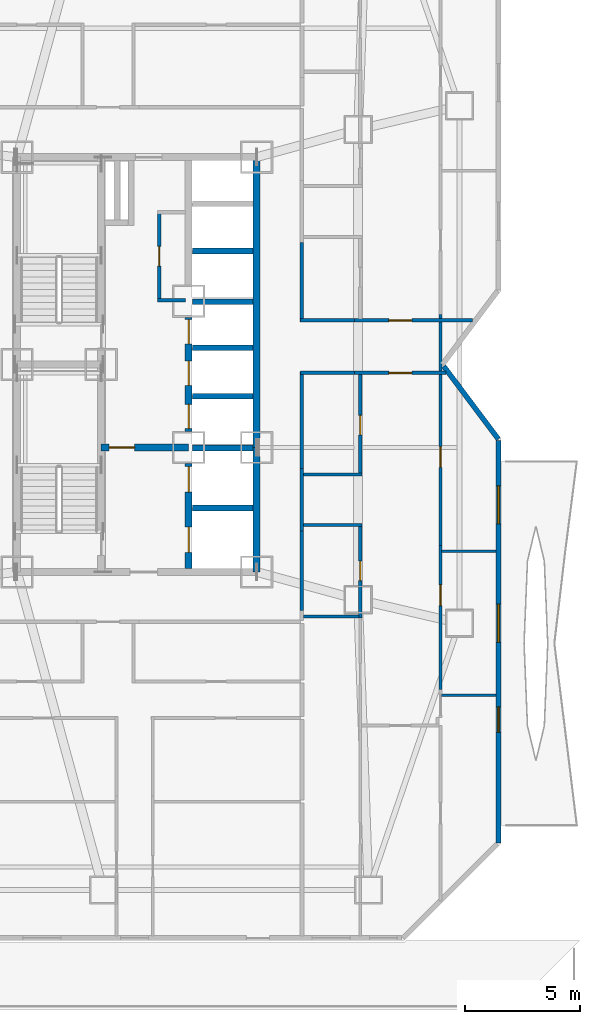
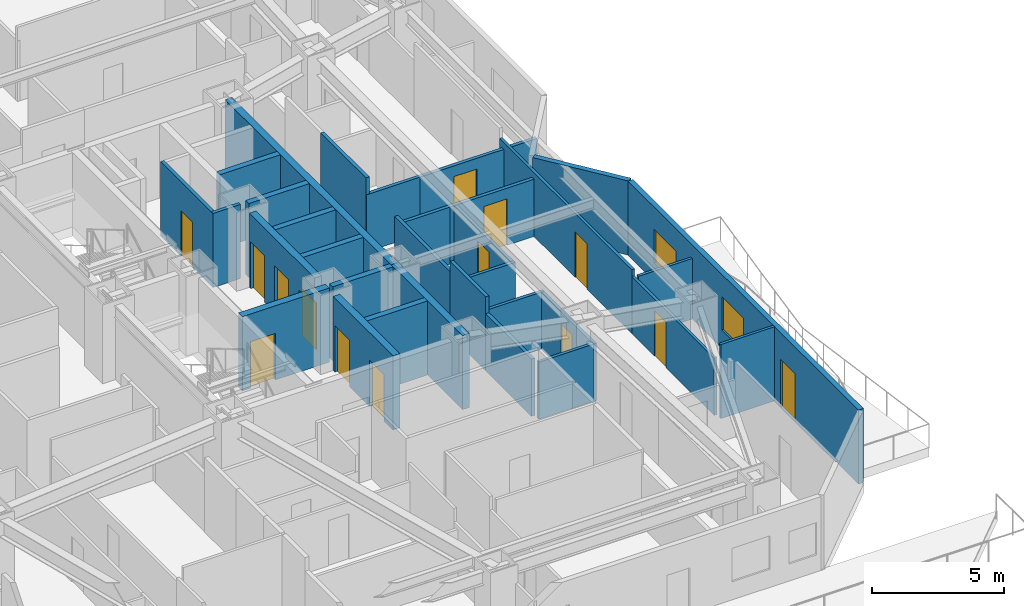
# One storey, part 12 of 18: 32 walls, 14 doors, 2 windows, 16 openings.
"""IFC4 building model written with IfcOpenShell, lengths in metres."""

from ifc_helpers import new_model, si_unit, direction, frame, frame_2d, origin, place, context, subcontext, project, spatial, rectangle, extrude, material, layer, layer_set, type_object, element, fill, save


model = new_model("IFC4")

# Units and contexts
model_context = context("Model", 3, precision=1e-05, world=origin(), true_north=direction((0.0, 1.0)))
body_context = subcontext(model_context, "Body", "Model", "MODEL_VIEW")
ifc_project = project(units=[si_unit("LENGTHUNIT", "METRE"), si_unit("AREAUNIT", "SQUARE_METRE"), si_unit("VOLUMEUNIT", "CUBIC_METRE"), si_unit("PLANEANGLEUNIT", "RADIAN"), si_unit("MASSUNIT", "GRAM", prefix="KILO")], contexts=[model_context])

# Site, building, storey
site_placement = place(None, origin())
site = spatial("IfcSite", under=ifc_project, at=site_placement, CompositionType="ELEMENT")
building_placement = place(site_placement, origin())
building = spatial("IfcBuilding", under=site, at=building_placement, Name="Khamvora Tower", CompositionType="ELEMENT")
storey_placement = place(building_placement, frame((0.0, 0.0, 33.300048828125)))
storey = spatial("IfcBuildingStorey", under=building, at=storey_placement, Name="L07", CompositionType="ELEMENT", Elevation=33.300048828125)

# Walls
ifc_material_1 = material(Name="Concrete C50/60", Category="concrete")
ifc_layer_1 = layer(ifc_material_1, 0.300048828125)
ifc_layer_set_1 = layer_set([ifc_layer_1], Name="Concrete C50/60")
wall_type_1 = type_object("IfcWallType", Name="WAL-CORE-300", PredefinedType="SHEAR", material=ifc_layer_set_1)
wall_1_placement = place(storey_placement, frame((39.39990234375, 19.0, 0.0), z_axis=(0.0, 0.0, 1.0), x_axis=(0.0, 1.0, 0.0)))
element("IfcWall", 1, at=wall_1_placement, inside=storey, type_object=wall_type_1, Name="L07 central core east south wall", PredefinedType="SHEAR", context=body_context, shape_type="SweptSolid", body=[
    extrude(rectangle(XDim=5.39990234375, YDim=0.300048828125, at=frame_2d((2.699951171875, 0.0))), origin(), (0.0, 0.0, 1.0), 3.429931640625),
])
wall_2_placement = place(storey_placement, frame((39.39990234375, 24.39990234375, 0.0), z_axis=(0.0, 0.0, 1.0), x_axis=(0.0, 1.0, 0.0)))
element("IfcWall", 2, at=wall_2_placement, inside=storey, type_object=wall_type_1, Name="L07 central core east north wall", PredefinedType="SHEAR", context=body_context, shape_type="SweptSolid", body=[
    extrude(rectangle(XDim=12.60009765625, YDim=0.300048828125, at=frame_2d((6.300048828125, 0.0))), origin(), (0.0, 0.0, 1.0), 3.429931640625),
])

# Wall, opening, door
wall_3_placement = place(storey_placement, frame((32.64990234375, 24.39990234375, 0.0), z_axis=(0.0, 0.0, 1.0), x_axis=(1.0, 0.0, 0.0)))
wall_3 = element("IfcWall", 3, at=wall_3_placement, inside=storey, type_object=wall_type_1, Name="L07 central core firefighting lobby north wall", PredefinedType="SHEAR", context=body_context, shape_type="SweptSolid", body=[
    extrude(rectangle(XDim=3.800048828125, YDim=0.300048828125, at=frame_2d((1.89990234375, 0.0))), origin(), (0.0, 0.0, 1.0), 3.429931640625),
])
opening_1_placement = place(wall_3_placement, frame((0.35009765625, 0.0, 0.0)))
opening_1 = element("IfcOpeningElement", 4, at=opening_1_placement, cuts=wall_3, Name="Opening D-FF1", PredefinedType="OPENING", context=body_context, shape_type="SweptSolid", body=[
    extrude(rectangle(XDim=1.10009765625, YDim=2.14990234375, at=frame_2d((0.550048828125, 1.074951171875))), frame((0.0, 0.159912109375, 0.0), z_axis=(0.0, -1.0, 0.0), x_axis=(1.0, 0.0, 0.0)), (0.0, 0.0, 1.0), 0.320068359375),
])
ifc_material_2 = material(Name="Powder-Coated Steel and Hardwood Leaf", Category="steel")
door_type_1 = type_object("IfcDoorType", Name="DOR-FFLOB-1100", OperationType="NOTDEFINED", PredefinedType="DOOR", material=ifc_material_2)
door_1_placement = place(opening_1_placement, origin())
door_1 = element("IfcDoor", 5, at=door_1_placement, inside=storey, type_object=door_type_1, Name="L07 firefighting lobby smoke-seal fire door", OperationType="SINGLE_SWING_RIGHT", OverallHeight=2.14990234375, OverallWidth=1.10009765625, PredefinedType="DOOR", context=body_context, shape_type="SweptSolid", body=[
    extrude(rectangle(XDim=1.10009765625, YDim=2.14990234375, at=frame_2d((0.550048828125, 1.074951171875))), frame((0.0, 0.02490234375, 0.0), z_axis=(0.0, -1.0, 0.0), x_axis=(1.0, 0.0, 0.0)), (0.0, 0.0, 1.0), 0.050048828125),
])
fill(opening_1, door_1)

# Wall, openings, doors
wall_4_placement = place(storey_placement, frame((36.449951171875, 19.154052734375, 0.0), z_axis=(0.0, 0.0, 1.0), x_axis=(0.0, 1.0, 0.0)))
wall_4 = element("IfcWall", 6, at=wall_4_placement, inside=storey, type_object=wall_type_1, Name="L07 central core lift bank south wall", PredefinedType="SHEAR", context=body_context, shape_type="SweptSolid", body=[
    extrude(rectangle(XDim=4.5458984375, YDim=0.300048828125, at=frame_2d((2.27294921875, 0.0))), origin(), (0.0, 0.0, 1.0), 3.429931640625),
])
opening_2_placement = place(wall_4_placement, frame((0.696044921875, 0.0, 0.0)))
opening_2 = element("IfcOpeningElement", 7, at=opening_2_placement, cuts=wall_4, Name="Opening LD-FFL", PredefinedType="OPENING", context=body_context, shape_type="SweptSolid", body=[
    extrude(rectangle(XDim=1.10009765625, YDim=2.14990234375, at=frame_2d((0.550048828125, 1.074951171875))), frame((0.0, 0.159912109375, 0.0), z_axis=(0.0, -1.0, 0.0), x_axis=(1.0, 0.0, 0.0)), (0.0, 0.0, 1.0), 0.320068359375),
])
opening_3_placement = place(wall_4_placement, frame((3.31591796875, 0.0, 0.0)))
opening_3 = element("IfcOpeningElement", 8, at=opening_3_placement, cuts=wall_4, Name="Opening LD-FFL", PredefinedType="OPENING", context=body_context, shape_type="SweptSolid", body=[
    extrude(rectangle(XDim=1.10009765625, YDim=2.14990234375, at=frame_2d((0.550048828125, 1.074951171875))), frame((0.0, 0.159912109375, 0.0), z_axis=(0.0, -1.0, 0.0), x_axis=(1.0, 0.0, 0.0)), (0.0, 0.0, 1.0), 0.320068359375),
])
door_type_2 = type_object("IfcDoorType", Name="DOR-LIFT-1100", OperationType="SLIDING_TO_LEFT", PredefinedType="DOOR", material=ifc_material_2)
door_2_placement = place(opening_2_placement, origin())
door_2 = element("IfcDoor", 9, at=door_2_placement, inside=storey, type_object=door_type_2, Name="L07 lift landing sliding door FFL-01", OperationType="SLIDING_TO_LEFT", OverallHeight=2.14990234375, OverallWidth=1.10009765625, PredefinedType="DOOR", context=body_context, shape_type="SweptSolid", body=[
    extrude(rectangle(XDim=1.10009765625, YDim=2.14990234375, at=frame_2d((0.550048828125, 1.074951171875))), frame((0.0, 0.02490234375, 0.0), z_axis=(0.0, -1.0, 0.0), x_axis=(1.0, 0.0, 0.0)), (0.0, 0.0, 1.0), 0.050048828125),
])
fill(opening_2, door_2)
door_3_placement = place(opening_3_placement, origin())
door_3 = element("IfcDoor", 10, at=door_3_placement, inside=storey, type_object=door_type_2, Name="L07 lift landing sliding door FFL-02", OperationType="SLIDING_TO_LEFT", OverallHeight=2.14990234375, OverallWidth=1.10009765625, PredefinedType="DOOR", context=body_context, shape_type="SweptSolid", body=[
    extrude(rectangle(XDim=1.10009765625, YDim=2.14990234375, at=frame_2d((0.550048828125, 1.074951171875))), frame((0.0, 0.02490234375, 0.0), z_axis=(0.0, -1.0, 0.0), x_axis=(1.0, 0.0, 0.0)), (0.0, 0.0, 1.0), 0.050048828125),
])
fill(opening_3, door_3)

wall_5_placement = place(storey_placement, frame((36.449951171875, 25.10009765625, 0.0), z_axis=(0.0, 0.0, 1.0), x_axis=(0.0, 1.0, 0.0)))
wall_5 = element("IfcWall", 11, at=wall_5_placement, inside=storey, type_object=wall_type_1, Name="L07 central core lift bank central wall", PredefinedType="SHEAR", context=body_context, shape_type="SweptSolid", body=[
    extrude(rectangle(XDim=4.949951171875, YDim=0.300048828125, at=frame_2d((2.47509765625, 0.0))), origin(), (0.0, 0.0, 1.0), 3.429931640625),
])
opening_4_placement = place(wall_5_placement, frame((0.1201171875, 0.0, 0.0)))
opening_4 = element("IfcOpeningElement", 12, at=opening_4_placement, cuts=wall_5, Name="Opening LD-PL", PredefinedType="OPENING", context=body_context, shape_type="SweptSolid", body=[
    extrude(rectangle(XDim=1.050048828125, YDim=2.14990234375, at=frame_2d((0.52490234375, 1.074951171875))), frame((0.0, 0.159912109375, 0.0), z_axis=(0.0, -1.0, 0.0), x_axis=(1.0, 0.0, 0.0)), (0.0, 0.0, 1.0), 0.320068359375),
])
opening_5_placement = place(wall_5_placement, frame((1.9951171875, 0.0, 0.0)))
opening_5 = element("IfcOpeningElement", 13, at=opening_5_placement, cuts=wall_5, Name="Opening LD-PL", PredefinedType="OPENING", context=body_context, shape_type="SweptSolid", body=[
    extrude(rectangle(XDim=1.050048828125, YDim=2.14990234375, at=frame_2d((0.52490234375, 1.074951171875))), frame((0.0, 0.159912109375, 0.0), z_axis=(0.0, -1.0, 0.0), x_axis=(1.0, 0.0, 0.0)), (0.0, 0.0, 1.0), 0.320068359375),
])
opening_6_placement = place(wall_5_placement, frame((3.794921875, 0.0, 0.0)))
opening_6 = element("IfcOpeningElement", 14, at=opening_6_placement, cuts=wall_5, Name="Opening LD-PL", PredefinedType="OPENING", context=body_context, shape_type="SweptSolid", body=[
    extrude(rectangle(XDim=1.050048828125, YDim=2.14990234375, at=frame_2d((0.52490234375, 1.074951171875))), frame((0.0, 0.159912109375, 0.0), z_axis=(0.0, -1.0, 0.0), x_axis=(1.0, 0.0, 0.0)), (0.0, 0.0, 1.0), 0.320068359375),
])
door_type_3 = type_object("IfcDoorType", Name="DOR-LIFT-1050", OperationType="SLIDING_TO_LEFT", PredefinedType="DOOR", material=ifc_material_2)
door_4_placement = place(opening_4_placement, origin())
door_4 = element("IfcDoor", 15, at=door_4_placement, inside=storey, type_object=door_type_3, Name="L07 lift landing sliding door PL-01", OperationType="SLIDING_TO_LEFT", OverallHeight=2.14990234375, OverallWidth=1.050048828125, PredefinedType="DOOR", context=body_context, shape_type="SweptSolid", body=[
    extrude(rectangle(XDim=1.050048828125, YDim=2.14990234375, at=frame_2d((0.52490234375, 1.074951171875))), frame((0.0, 0.02490234375, 0.0), z_axis=(0.0, -1.0, 0.0), x_axis=(1.0, 0.0, 0.0)), (0.0, 0.0, 1.0), 0.050048828125),
])
fill(opening_4, door_4)
door_5_placement = place(opening_5_placement, origin())
door_5 = element("IfcDoor", 16, at=door_5_placement, inside=storey, type_object=door_type_3, Name="L07 lift landing sliding door PL-02", OperationType="SLIDING_TO_LEFT", OverallHeight=2.14990234375, OverallWidth=1.050048828125, PredefinedType="DOOR", context=body_context, shape_type="SweptSolid", body=[
    extrude(rectangle(XDim=1.050048828125, YDim=2.14990234375, at=frame_2d((0.52490234375, 1.074951171875))), frame((0.0, 0.02490234375, 0.0), z_axis=(0.0, -1.0, 0.0), x_axis=(1.0, 0.0, 0.0)), (0.0, 0.0, 1.0), 0.050048828125),
])
fill(opening_5, door_5)
door_6_placement = place(opening_6_placement, origin())
door_6 = element("IfcDoor", 17, at=door_6_placement, inside=storey, type_object=door_type_3, Name="L07 lift landing sliding door PL-03", OperationType="SLIDING_TO_LEFT", OverallHeight=2.14990234375, OverallWidth=1.050048828125, PredefinedType="DOOR", context=body_context, shape_type="SweptSolid", body=[
    extrude(rectangle(XDim=1.050048828125, YDim=2.14990234375, at=frame_2d((0.52490234375, 1.074951171875))), frame((0.0, 0.02490234375, 0.0), z_axis=(0.0, -1.0, 0.0), x_axis=(1.0, 0.0, 0.0)), (0.0, 0.0, 1.0), 0.050048828125),
])
fill(opening_6, door_6)

# Wall, opening, door
ifc_material_3 = material(Name="Fire-Rated Drywall and Steel Stud", Category="steel")
ifc_layer_2 = layer(ifc_material_3, 0.14990234375)
ifc_layer_set_2 = layer_set([ifc_layer_2], Name="Fire-Rated Drywall and Steel Stud")
wall_type_2 = type_object("IfcWallType", Name="WAL-CORR-150", PredefinedType="STANDARD", material=ifc_layer_set_2)
wall_6_placement = place(storey_placement, frame((35.1650390625, 34.677978515625, 0.0), z_axis=(0.0, 0.0, 1.0), x_axis=(0.0, -1.0, 0.0)))
wall_6 = element("IfcWall", 18, at=wall_6_placement, inside=storey, type_object=wall_type_2, Name="L07 interior partition wall 002", PredefinedType="STANDARD", context=body_context, shape_type="SweptSolid", body=[
    extrude(rectangle(XDim=3.9580078125, YDim=0.14990234375, at=frame_2d((1.97900390625, 0.0))), origin(), (0.0, 0.0, 1.0), 3.429931640625),
])
opening_7_placement = place(wall_6_placement, frame((1.553955078125, 0.0, 0.0)))
opening_7 = element("IfcOpeningElement", 19, at=opening_7_placement, cuts=wall_6, Name="Opening D-WC1", PredefinedType="OPENING", context=body_context, shape_type="SweptSolid", body=[
    extrude(rectangle(XDim=0.85009765625, YDim=2.10009765625, at=frame_2d((0.425048828125, 1.050048828125))), frame((0.0, 0.0849609375, 0.0), z_axis=(0.0, -1.0, 0.0), x_axis=(1.0, 0.0, 0.0)), (0.0, 0.0, 1.0), 0.169921875),
])
door_type_4 = type_object("IfcDoorType", Name="DOR-WET-850", OperationType="NOTDEFINED", PredefinedType="DOOR", material=ifc_material_2)
door_7_placement = place(opening_7_placement, origin())
door_7 = element("IfcDoor", 20, at=door_7_placement, inside=storey, type_object=door_type_4, Name="L07 interior door PLL-CS1", OperationType="SINGLE_SWING_LEFT", OverallHeight=2.10009765625, OverallWidth=0.85009765625, PredefinedType="DOOR", context=body_context, shape_type="SweptSolid", body=[
    extrude(rectangle(XDim=0.85009765625, YDim=2.10009765625, at=frame_2d((0.425048828125, 1.050048828125))), frame((0.0, 0.02490234375, 0.0), z_axis=(0.0, -1.0, 0.0), x_axis=(1.0, 0.0, 0.0)), (0.0, 0.0, 1.0), 0.050048828125),
])
fill(opening_7, door_7)

# Wall
wall_7_placement = place(storey_placement, frame((35.10205078125, 30.784912109375, 0.0), z_axis=(0.0, 0.0, 1.0), x_axis=(1.0, 0.0, 0.0)))
element("IfcWall", 21, at=wall_7_placement, inside=storey, type_object=wall_type_2, Name="L07 interior partition wall 003", PredefinedType="STANDARD", context=body_context, shape_type="SweptSolid", body=[
    extrude(rectangle(XDim=1.197998046875, YDim=0.14990234375, at=frame_2d((0.59912109375, 0.0))), origin(), (0.0, 0.0, 1.0), 3.429931640625),
])

# Wall, opening, door
wall_8_placement = place(storey_placement, frame((47.611083984375, 27.635009765625, 0.0), z_axis=(0.0, 0.0, 1.0), x_axis=(-1.0, 0.0, 0.0)))
wall_8 = element("IfcWall", 22, at=wall_8_placement, inside=storey, type_object=wall_type_2, Name="L07 interior partition wall 029", PredefinedType="STANDARD", context=body_context, shape_type="SweptSolid", body=[
    extrude(rectangle(XDim=3.965087890625, YDim=0.14990234375, at=frame_2d((1.982421875, 0.0))), origin(), (0.0, 0.0, 1.0), 2.64697265625),
])
opening_8_placement = place(wall_8_placement, frame((1.47607421875, 0.0, 0.0)))
opening_8 = element("IfcOpeningElement", 23, at=opening_8_placement, cuts=wall_8, Name="Opening D-U1", PredefinedType="OPENING", context=body_context, shape_type="SweptSolid", body=[
    extrude(rectangle(XDim=1.0, YDim=2.14990234375, at=frame_2d((0.5, 1.074951171875))), frame((0.0, 0.0849609375, 0.0), z_axis=(0.0, -1.0, 0.0), x_axis=(1.0, 0.0, 0.0)), (0.0, 0.0, 1.0), 0.169921875),
])
door_type_5 = type_object("IfcDoorType", Name="DOR-UNIT-1000", OperationType="NOTDEFINED", PredefinedType="DOOR", material=ifc_material_2)
door_8_placement = place(opening_8_placement, origin())
door_8 = element("IfcDoor", 24, at=door_8_placement, inside=storey, type_object=door_type_5, Name="L07 interior door COR-07EAH", OperationType="SINGLE_SWING_RIGHT", OverallHeight=2.14990234375, OverallWidth=1.0, PredefinedType="DOOR", context=body_context, shape_type="SweptSolid", body=[
    extrude(rectangle(XDim=1.0, YDim=2.14990234375, at=frame_2d((0.5, 1.074951171875))), frame((0.0, 0.02490234375, 0.0), z_axis=(0.0, -1.0, 0.0), x_axis=(1.0, 0.0, 0.0)), (0.0, 0.0, 1.0), 0.050048828125),
])
fill(opening_8, door_8)

# Walls
wall_9_placement = place(storey_placement, frame((41.364990234375, 23.48291015625, 0.0), z_axis=(0.0, 0.0, 1.0), x_axis=(0.0, -1.0, 0.0)))
element("IfcWall", 25, at=wall_9_placement, inside=storey, type_object=wall_type_2, Name="L07 interior partition wall 030", PredefinedType="STANDARD", context=body_context, shape_type="SweptSolid", body=[
    extrude(rectangle(XDim=2.697998046875, YDim=0.14990234375, at=frame_2d((1.34912109375, 0.0))), origin(), (0.0, 0.0, 1.0), 3.429931640625),
])
wall_10_placement = place(storey_placement, frame((41.364990234375, 20.784912109375, 0.0), z_axis=(0.0, 0.0, 1.0), x_axis=(0.0, -1.0, 0.0)))
element("IfcWall", 26, at=wall_10_placement, inside=storey, type_object=wall_type_2, Name="L07 interior partition wall 031", PredefinedType="STANDARD", context=body_context, shape_type="SweptSolid", body=[
    extrude(rectangle(XDim=3.466796875, YDim=0.14990234375, at=frame_2d((1.7333984375, 0.0))), origin(), (0.0, 0.0, 1.0), 2.64697265625),
])
wall_11_placement = place(storey_placement, frame((43.64599609375, 27.635009765625, 0.0), z_axis=(0.0, 0.0, 1.0), x_axis=(-1.0, 0.0, 0.0)))
element("IfcWall", 27, at=wall_11_placement, inside=storey, type_object=wall_type_2, Name="L07 interior partition wall 032", PredefinedType="STANDARD", context=body_context, shape_type="SweptSolid", body=[
    extrude(rectangle(XDim=2.345947265625, YDim=0.14990234375, at=frame_2d((1.1728515625, 0.0))), origin(), (0.0, 0.0, 1.0), 2.64697265625),
])
wall_12_placement = place(storey_placement, frame((41.364990234375, 27.697998046875, 0.0), z_axis=(0.0, 0.0, 1.0), x_axis=(0.0, -1.0, 0.0)))
element("IfcWall", 28, at=wall_12_placement, inside=storey, type_object=wall_type_2, Name="L07 interior partition wall 033", PredefinedType="STANDARD", context=body_context, shape_type="SweptSolid", body=[
    extrude(rectangle(XDim=4.215087890625, YDim=0.14990234375, at=frame_2d((2.107421875, 0.0))), origin(), (0.0, 0.0, 1.0), 2.95703125),
])

# Wall, opening, door
wall_13_placement = place(storey_placement, frame((43.64599609375, 29.9150390625, 0.0), z_axis=(0.0, 0.0, 1.0), x_axis=(1.0, 0.0, 0.0)))
wall_13 = element("IfcWall", 29, at=wall_13_placement, inside=storey, type_object=wall_type_2, Name="L07 interior partition wall 035", PredefinedType="STANDARD", context=body_context, shape_type="SweptSolid", body=[
    extrude(rectangle(XDim=5.125, YDim=0.14990234375, at=frame_2d((2.5625, 0.0))), origin(), (0.0, 0.0, 1.0), 2.64697265625),
])
opening_9_placement = place(wall_13_placement, frame((1.489013671875, 0.0, 0.0)))
opening_9 = element("IfcOpeningElement", 30, at=opening_9_placement, cuts=wall_13, Name="Opening D-U1", PredefinedType="OPENING", context=body_context, shape_type="SweptSolid", body=[
    extrude(rectangle(XDim=1.0, YDim=2.14990234375, at=frame_2d((0.5, 1.074951171875))), frame((0.0, 0.0849609375, 0.0), z_axis=(0.0, -1.0, 0.0), x_axis=(1.0, 0.0, 0.0)), (0.0, 0.0, 1.0), 0.169921875),
])
door_9_placement = place(opening_9_placement, origin())
door_9 = element("IfcDoor", 31, at=door_9_placement, inside=storey, type_object=door_type_5, Name="L07 interior door COR-07EBH", OperationType="SINGLE_SWING_LEFT", OverallHeight=2.14990234375, OverallWidth=1.0, PredefinedType="DOOR", context=body_context, shape_type="SweptSolid", body=[
    extrude(rectangle(XDim=1.0, YDim=2.14990234375, at=frame_2d((0.5, 1.074951171875))), frame((0.0, 0.02490234375, 0.0), z_axis=(0.0, -1.0, 0.0), x_axis=(1.0, 0.0, 0.0)), (0.0, 0.0, 1.0), 0.050048828125),
])
fill(opening_9, door_9)

# Walls
wall_14_placement = place(storey_placement, frame((41.364990234375, 33.2919921875, 0.0), z_axis=(0.0, 0.0, 1.0), x_axis=(0.0, -1.0, 0.0)))
element("IfcWall", 32, at=wall_14_placement, inside=storey, type_object=wall_type_2, Name="L07 interior partition wall 036", PredefinedType="STANDARD", context=body_context, shape_type="SweptSolid", body=[
    extrude(rectangle(XDim=3.44189453125, YDim=0.14990234375, at=frame_2d((1.720947265625, 0.0))), origin(), (0.0, 0.0, 1.0), 3.429931640625),
])
wall_15_placement = place(storey_placement, frame((41.300048828125, 29.9150390625, 0.0), z_axis=(0.0, 0.0, 1.0), x_axis=(1.0, 0.0, 0.0)))
element("IfcWall", 33, at=wall_15_placement, inside=storey, type_object=wall_type_2, Name="L07 interior partition wall 037", PredefinedType="STANDARD", context=body_context, shape_type="SweptSolid", body=[
    extrude(rectangle(XDim=2.345947265625, YDim=0.14990234375, at=frame_2d((1.1728515625, 0.0))), origin(), (0.0, 0.0, 1.0), 2.64697265625),
])
ifc_material_4 = material(Name="Precast concrete C40/50", Category="concrete")
ifc_layer_3 = layer(ifc_material_4, 0.219970703125)
ifc_layer_set_3 = layer_set([ifc_layer_3], Name="Precast concrete C40/50")
wall_type_3 = type_object("IfcWallType", Name="WAL-EXT-220", PredefinedType="STANDARD", material=ifc_layer_set_3)
wall_16_placement = place(storey_placement, frame((47.51904296875, 27.923095703125, 0.0), z_axis=(0.0, 0.0, 1.0), x_axis=(0.600118645218, -0.799911002338, 0.0)))
element("IfcWall", 34, at=wall_16_placement, inside=storey, type_object=wall_type_3, Name="L07 exterior facade wall 11.1", PredefinedType="STANDARD", context=body_context, shape_type="SweptSolid", body=[
    extrude(rectangle(XDim=3.95068359375, YDim=0.219970703125, at=frame_2d((1.975341796875, 0.0))), origin(), (0.0, 0.0, 1.0), 3.429931640625),
])

# Wall, openings, door, windows
wall_17_placement = place(storey_placement, frame((49.889892578125, 24.70703125, 0.0), z_axis=(0.0, 0.0, 1.0), x_axis=(0.0, -1.0, 0.0)))
wall_17 = element("IfcWall", 35, at=wall_17_placement, inside=storey, type_object=wall_type_3, Name="L07 exterior facade wall 12.1", PredefinedType="STANDARD", context=body_context, shape_type="SweptSolid", body=[
    extrude(rectangle(XDim=17.4609375, YDim=0.219970703125, at=frame_2d((8.73046875, 0.0))), origin(), (0.0, 0.0, 1.0), 3.429931640625),
])
opening_10_placement = place(wall_17_placement, frame((11.56591796875, 0.0, 0.0)))
opening_10 = element("IfcOpeningElement", 36, at=opening_10_placement, cuts=wall_17, Name="Opening BD-01", PredefinedType="OPENING", context=body_context, shape_type="SweptSolid", body=[
    extrude(rectangle(XDim=1.10009765625, YDim=2.199951171875, at=frame_2d((0.550048828125, 1.10009765625))), frame((0.0, 0.119873046875, 0.0), z_axis=(0.0, -1.0, 0.0), x_axis=(1.0, 0.0, 0.0)), (0.0, 0.0, 1.0), 0.239990234375),
])
opening_11_placement = place(wall_17_placement, frame((7.10693359375, 0.0, 0.85009765625)))
opening_11 = element("IfcOpeningElement", 37, at=opening_11_placement, cuts=wall_17, Name="Opening WN-06", PredefinedType="OPENING", context=body_context, shape_type="SweptSolid", body=[
    extrude(rectangle(XDim=1.64990234375, YDim=1.550048828125, at=frame_2d((0.824951171875, 0.77490234375))), frame((0.0, 0.119873046875, 0.0), z_axis=(0.0, -1.0, 0.0), x_axis=(1.0, 0.0, 0.0)), (0.0, 0.0, 1.0), 0.239990234375),
])
opening_12_placement = place(wall_17_placement, frame((1.972900390625, 0.0, 0.85009765625)))
opening_12 = element("IfcOpeningElement", 38, at=opening_12_placement, cuts=wall_17, Name="Opening WN-06", PredefinedType="OPENING", context=body_context, shape_type="SweptSolid", body=[
    extrude(rectangle(XDim=1.64990234375, YDim=1.550048828125, at=frame_2d((0.824951171875, 0.77490234375))), frame((0.0, 0.119873046875, 0.0), z_axis=(0.0, -1.0, 0.0), x_axis=(1.0, 0.0, 0.0)), (0.0, 0.0, 1.0), 0.239990234375),
])
ifc_material_5 = material(Name="Anodised Aluminium and Laminated Safety Glass", Category="aluminium")
door_type_6 = type_object("IfcDoorType", Name="DOR-BAL-1100", OperationType="NOTDEFINED", PredefinedType="DOOR", material=ifc_material_5)
door_10_placement = place(opening_10_placement, origin())
door_10 = element("IfcDoor", 39, at=door_10_placement, inside=storey, type_object=door_type_6, Name="L07 lens gallery balcony door EL1", OperationType="SLIDING_TO_LEFT", OverallHeight=2.199951171875, OverallWidth=1.10009765625, PredefinedType="DOOR", context=body_context, shape_type="SweptSolid", body=[
    extrude(rectangle(XDim=1.10009765625, YDim=2.199951171875, at=frame_2d((0.550048828125, 1.10009765625))), frame((0.0, 0.02490234375, 0.0), z_axis=(0.0, -1.0, 0.0), x_axis=(1.0, 0.0, 0.0)), (0.0, 0.0, 1.0), 0.050048828125),
])
fill(opening_10, door_10)
ifc_material_6 = material(Name="Low-E Laminated Double Glazing", Category="glass")
window_type = type_object("IfcWindowType", Name="WIN-VIS-1650x1550", PartitioningType="SINGLE_PANEL", PredefinedType="WINDOW", material=ifc_material_6)
window_1_placement = place(opening_11_placement, origin())
window_1 = element("IfcWindow", 40, at=window_1_placement, inside=storey, type_object=window_type, Name="L07 vision window 12.1.01", OverallHeight=1.550048828125, OverallWidth=1.64990234375, PartitioningType="SINGLE_PANEL", PredefinedType="WINDOW", context=body_context, shape_type="SweptSolid", body=[
    extrude(rectangle(XDim=1.64990234375, YDim=1.550048828125, at=frame_2d((0.824951171875, 0.77490234375))), frame((0.0, 0.030029296875, 0.0), z_axis=(0.0, -1.0, 0.0), x_axis=(1.0, 0.0, 0.0)), (0.0, 0.0, 1.0), 0.06005859375),
])
fill(opening_11, window_1)
window_2_placement = place(opening_12_placement, origin())
window_2 = element("IfcWindow", 41, at=window_2_placement, inside=storey, type_object=window_type, Name="L07 vision window 12.1.02", OverallHeight=1.550048828125, OverallWidth=1.64990234375, PartitioningType="SINGLE_PANEL", PredefinedType="WINDOW", context=body_context, shape_type="SweptSolid", body=[
    extrude(rectangle(XDim=1.64990234375, YDim=1.550048828125, at=frame_2d((0.824951171875, 0.77490234375))), frame((0.0, 0.030029296875, 0.0), z_axis=(0.0, -1.0, 0.0), x_axis=(1.0, 0.0, 0.0)), (0.0, 0.0, 1.0), 0.06005859375),
])
fill(opening_12, window_2)

# Wall, opening, door
ifc_material_7 = material(Name="Gypsum Plasterboard Partition", Category="gypsum")
ifc_layer_4 = layer(ifc_material_7, 0.1201171875)
ifc_layer_set_4 = layer_set([ifc_layer_4], Name="Gypsum Plasterboard Partition")
wall_type_4 = type_object("IfcWallType", Name="WAL-PART-120", PredefinedType="PARTITIONING", material=ifc_layer_set_4)
wall_18_placement = place(storey_placement, frame((47.375, 20.14404296875, 0.0), z_axis=(0.0, 0.0, 1.0), x_axis=(0.0, -1.0, 0.0)))
wall_18 = element("IfcWall", 42, at=wall_18_placement, inside=storey, type_object=wall_type_4, Name="L07 interior partition wall 144", PredefinedType="PARTITIONING", context=body_context, shape_type="SweptSolid", body=[
    extrude(rectangle(XDim=6.239990234375, YDim=0.1201171875, at=frame_2d((3.1201171875, 0.0))), origin(), (0.0, 0.0, 1.0), 2.64697265625),
])
opening_13_placement = place(wall_18_placement, frame((1.698974609375, 0.0, 0.0)))
opening_13 = element("IfcOpeningElement", 43, at=opening_13_placement, cuts=wall_18, Name="Opening D-RM1", PredefinedType="OPENING", context=body_context, shape_type="SweptSolid", body=[
    extrude(rectangle(XDim=0.89990234375, YDim=2.10009765625, at=frame_2d((0.449951171875, 1.050048828125))), frame((0.0, 0.070068359375, 0.0), z_axis=(0.0, -1.0, 0.0), x_axis=(1.0, 0.0, 0.0)), (0.0, 0.0, 1.0), 0.14013671875),
])
door_type_7 = type_object("IfcDoorType", Name="DOR-ROOM-900", OperationType="NOTDEFINED", PredefinedType="DOOR", material=ifc_material_2)
door_11_placement = place(opening_13_placement, origin())
door_11 = element("IfcDoor", 44, at=door_11_placement, inside=storey, type_object=door_type_7, Name="L07 interior door 07EAH-07EAR2", OperationType="SINGLE_SWING_LEFT", OverallHeight=2.10009765625, OverallWidth=0.89990234375, PredefinedType="DOOR", context=body_context, shape_type="SweptSolid", body=[
    extrude(rectangle(XDim=0.89990234375, YDim=2.10009765625, at=frame_2d((0.449951171875, 1.050048828125))), frame((0.0, 0.02490234375, 0.0), z_axis=(0.0, -1.0, 0.0), x_axis=(1.0, 0.0, 0.0)), (0.0, 0.0, 1.0), 0.050048828125),
])
fill(opening_13, door_11)

wall_19_placement = place(storey_placement, frame((47.375, 30.169921875, 0.0), z_axis=(0.0, 0.0, 1.0), x_axis=(0.0, -1.0, 0.0)))
wall_19 = element("IfcWall", 45, at=wall_19_placement, inside=storey, type_object=wall_type_4, Name="L07 interior partition wall 145", PredefinedType="PARTITIONING", context=body_context, shape_type="SweptSolid", body=[
    extrude(rectangle(XDim=10.02587890625, YDim=0.1201171875, at=frame_2d((5.012939453125, 0.0))), origin(), (0.0, 0.0, 1.0), 2.95703125),
])
opening_14_placement = place(wall_19_placement, frame((5.72705078125, 0.0, 0.0)))
opening_14 = element("IfcOpeningElement", 46, at=opening_14_placement, cuts=wall_19, Name="Opening D-RM1", PredefinedType="OPENING", context=body_context, shape_type="SweptSolid", body=[
    extrude(rectangle(XDim=0.89990234375, YDim=2.10009765625, at=frame_2d((0.449951171875, 1.050048828125))), frame((0.0, 0.070068359375, 0.0), z_axis=(0.0, -1.0, 0.0), x_axis=(1.0, 0.0, 0.0)), (0.0, 0.0, 1.0), 0.14013671875),
])
door_12_placement = place(opening_14_placement, origin())
door_12 = element("IfcDoor", 47, at=door_12_placement, inside=storey, type_object=door_type_7, Name="L07 interior door 07EAH-07EAR3", OperationType="SINGLE_SWING_LEFT", OverallHeight=2.10009765625, OverallWidth=0.89990234375, PredefinedType="DOOR", context=body_context, shape_type="SweptSolid", body=[
    extrude(rectangle(XDim=0.89990234375, YDim=2.10009765625, at=frame_2d((0.449951171875, 1.050048828125))), frame((0.0, 0.02490234375, 0.0), z_axis=(0.0, -1.0, 0.0), x_axis=(1.0, 0.0, 0.0)), (0.0, 0.0, 1.0), 0.050048828125),
])
fill(opening_14, door_12)

# Walls
wall_20_placement = place(storey_placement, frame((47.428955078125, 13.655029296875, 0.0), z_axis=(0.0, 0.0, 1.0), x_axis=(1.0, 0.0, 0.0)))
element("IfcWall", 48, at=wall_20_placement, inside=storey, type_object=wall_type_4, Name="L07 interior partition wall 147", PredefinedType="PARTITIONING", context=body_context, shape_type="SweptSolid", body=[
    extrude(rectangle(XDim=2.359130859375, YDim=0.1201171875, at=frame_2d((1.1796875, 0.0))), origin(), (0.0, 0.0, 1.0), 3.429931640625),
])
wall_21_placement = place(storey_placement, frame((47.428955078125, 19.89501953125, 0.0), z_axis=(0.0, 0.0, 1.0), x_axis=(1.0, 0.0, 0.0)))
element("IfcWall", 49, at=wall_21_placement, inside=storey, type_object=wall_type_4, Name="L07 interior partition wall 148", PredefinedType="PARTITIONING", context=body_context, shape_type="SweptSolid", body=[
    extrude(rectangle(XDim=2.359130859375, YDim=0.1201171875, at=frame_2d((1.1796875, 0.0))), origin(), (0.0, 0.0, 1.0), 2.802978515625),
])
ifc_material_8 = material(Name="Concrete C40/50", Category="concrete")
ifc_layer_5 = layer(ifc_material_8, 0.25)
ifc_layer_set_5 = layer_set([ifc_layer_5], Name="Concrete C40/50")
wall_type_5 = type_object("IfcWallType", Name="WAL-PODS-250", PredefinedType="SHEAR", material=ifc_layer_set_5)
for number, where, z_axis, x_axis, name in (
    (50, (36.60400390625, 21.77490234375, 0.0), (0.0, 0.0, 1.0), (1.0, 0.0, 0.0), "L07 lift shaft divider wall FFL-01"),
    (51, (36.60400390625, 24.375, 0.0), (0.0, 0.0, 1.0), (1.0, 0.0, 0.0), "L07 lift shaft divider wall FFL-02"),
    (52, (36.60400390625, 26.625, 0.0), (0.0, 0.0, 1.0), (1.0, 0.0, 0.0), "L07 lift shaft divider wall PL-01"),
    (53, (36.60400390625, 28.72509765625, 0.0), (0.0, 0.0, 1.0), (1.0, 0.0, 0.0), "L07 lift shaft divider wall PL-02"),
    (54, (36.60400390625, 30.72509765625, 0.0), (0.0, 0.0, 1.0), (1.0, 0.0, 0.0), "L07 lift shaft divider wall PL-03"),
    (55, (36.60400390625, 32.925048828125, 0.0), (0.0, 0.0, 1.0), (1.0, 0.0, 0.0), "L07 lift shaft divider wall PH-01"),
):
    element("IfcWall", number, at=place(storey_placement, frame(where, z_axis=z_axis, x_axis=x_axis)), inside=storey, type_object=wall_type_5, Name=name, PredefinedType="SHEAR", context=body_context, shape_type="SweptSolid", body=[
        extrude(rectangle(XDim=2.64208984375, YDim=0.25, at=frame_2d((1.321044921875, 0.0))), origin(), (0.0, 0.0, 1.0), 3.429931640625),
    ])
ifc_material_9 = material(Name="Moisture-Resistant Plasterboard Partition", Category="gypsum")
ifc_layer_6 = layer(ifc_material_9, 0.135009765625)
ifc_layer_set_6 = layer_set([ifc_layer_6], Name="Moisture-Resistant Plasterboard Partition")
wall_type_6 = type_object("IfcWallType", Name="WAL-WET-135", PredefinedType="PARTITIONING", material=ifc_layer_set_6)
wall_22_placement = place(storey_placement, frame((41.431884765625, 17.069091796875, 0.0), z_axis=(0.0, 0.0, 1.0), x_axis=(1.0, 0.0, 0.0)))
element("IfcWall", 56, at=wall_22_placement, inside=storey, type_object=wall_type_6, Name="L07 interior partition wall 136", PredefinedType="PARTITIONING", context=body_context, shape_type="SweptSolid", body=[
    extrude(rectangle(XDim=2.398193359375, YDim=0.135009765625, at=frame_2d((1.19921875, 0.0))), origin(), (0.0, 0.0, 1.0), 2.64697265625),
])

# Wall, opening, door
wall_23_placement = place(storey_placement, frame((43.89501953125, 17.00390625, 0.0), z_axis=(0.0, 0.0, 1.0), x_axis=(0.0, 1.0, 0.0)))
wall_23 = element("IfcWall", 57, at=wall_23_placement, inside=storey, type_object=wall_type_6, Name="L07 interior partition wall 139", PredefinedType="PARTITIONING", context=body_context, shape_type="SweptSolid", body=[
    extrude(rectangle(XDim=4.09521484375, YDim=0.135009765625, at=frame_2d((2.047607421875, 0.0))), origin(), (0.0, 0.0, 1.0), 2.64697265625),
])
opening_15_placement = place(wall_23_placement, frame((1.6220703125, 0.0, 0.0)))
opening_15 = element("IfcOpeningElement", 58, at=opening_15_placement, cuts=wall_23, Name="Opening D-WC1", PredefinedType="OPENING", context=body_context, shape_type="SweptSolid", body=[
    extrude(rectangle(XDim=0.85009765625, YDim=2.10009765625, at=frame_2d((0.425048828125, 1.050048828125))), frame((0.0, 0.077392578125, 0.0), z_axis=(0.0, -1.0, 0.0), x_axis=(1.0, 0.0, 0.0)), (0.0, 0.0, 1.0), 0.155029296875),
])
door_13_placement = place(opening_15_placement, origin())
door_13 = element("IfcDoor", 59, at=door_13_placement, inside=storey, type_object=door_type_4, Name="L07 interior door 07EAH-07EAB", OperationType="SINGLE_SWING_RIGHT", OverallHeight=2.10009765625, OverallWidth=0.85009765625, PredefinedType="DOOR", context=body_context, shape_type="SweptSolid", body=[
    extrude(rectangle(XDim=0.85009765625, YDim=2.10009765625, at=frame_2d((0.425048828125, 1.050048828125))), frame((0.0, 0.02490234375, 0.0), z_axis=(0.0, -1.0, 0.0), x_axis=(1.0, 0.0, 0.0)), (0.0, 0.0, 1.0), 0.050048828125),
])
fill(opening_15, door_13)

# Walls
for number, where, z_axis, x_axis, name in (
    (60, (43.9599609375, 21.033935546875, 0.0), (0.0, 0.0, 1.0), (-1.0, 0.0, 0.0), "L07 interior partition wall 140"),
    (61, (41.431884765625, 23.23388671875, 0.0), (0.0, 0.0, 1.0), (1.0, 0.0, 0.0), "L07 interior partition wall 141"),
):
    element("IfcWall", number, at=place(storey_placement, frame(where, z_axis=z_axis, x_axis=x_axis)), inside=storey, type_object=wall_type_6, Name=name, PredefinedType="PARTITIONING", context=body_context, shape_type="SweptSolid", body=[
        extrude(rectangle(XDim=2.528076171875, YDim=0.135009765625, at=frame_2d((1.26416015625, 0.0))), origin(), (0.0, 0.0, 1.0), 2.64697265625),
    ])

# Wall, opening, door
wall_24_placement = place(storey_placement, frame((43.89501953125, 23.1689453125, 0.0), z_axis=(0.0, 0.0, 1.0), x_axis=(0.0, 1.0, 0.0)))
wall_24 = element("IfcWall", 62, at=wall_24_placement, inside=storey, type_object=wall_type_6, Name="L07 interior partition wall 142", PredefinedType="PARTITIONING", context=body_context, shape_type="SweptSolid", body=[
    extrude(rectangle(XDim=4.401123046875, YDim=0.135009765625, at=frame_2d((2.20068359375, 0.0))), origin(), (0.0, 0.0, 1.0), 2.64697265625),
])
opening_16_placement = place(wall_24_placement, frame((1.77490234375, 0.0, 0.0)))
opening_16 = element("IfcOpeningElement", 63, at=opening_16_placement, cuts=wall_24, Name="Opening D-RM2", PredefinedType="OPENING", context=body_context, shape_type="SweptSolid", body=[
    extrude(rectangle(XDim=0.85009765625, YDim=2.10009765625, at=frame_2d((0.425048828125, 1.050048828125))), frame((0.0, 0.077392578125, 0.0), z_axis=(0.0, -1.0, 0.0), x_axis=(1.0, 0.0, 0.0)), (0.0, 0.0, 1.0), 0.155029296875),
])
door_type_8 = type_object("IfcDoorType", Name="DOR-ROOM-850", OperationType="NOTDEFINED", PredefinedType="DOOR", material=ifc_material_2)
door_14_placement = place(opening_16_placement, origin())
door_14 = element("IfcDoor", 64, at=door_14_placement, inside=storey, type_object=door_type_8, Name="L07 interior door 07EAH-07EAK", OperationType="SINGLE_SWING_LEFT", OverallHeight=2.10009765625, OverallWidth=0.85009765625, PredefinedType="DOOR", context=body_context, shape_type="SweptSolid", body=[
    extrude(rectangle(XDim=0.85009765625, YDim=2.10009765625, at=frame_2d((0.425048828125, 1.050048828125))), frame((0.0, 0.02490234375, 0.0), z_axis=(0.0, -1.0, 0.0), x_axis=(1.0, 0.0, 0.0)), (0.0, 0.0, 1.0), 0.050048828125),
])
fill(opening_16, door_14)

save(model, "model.ifc")
